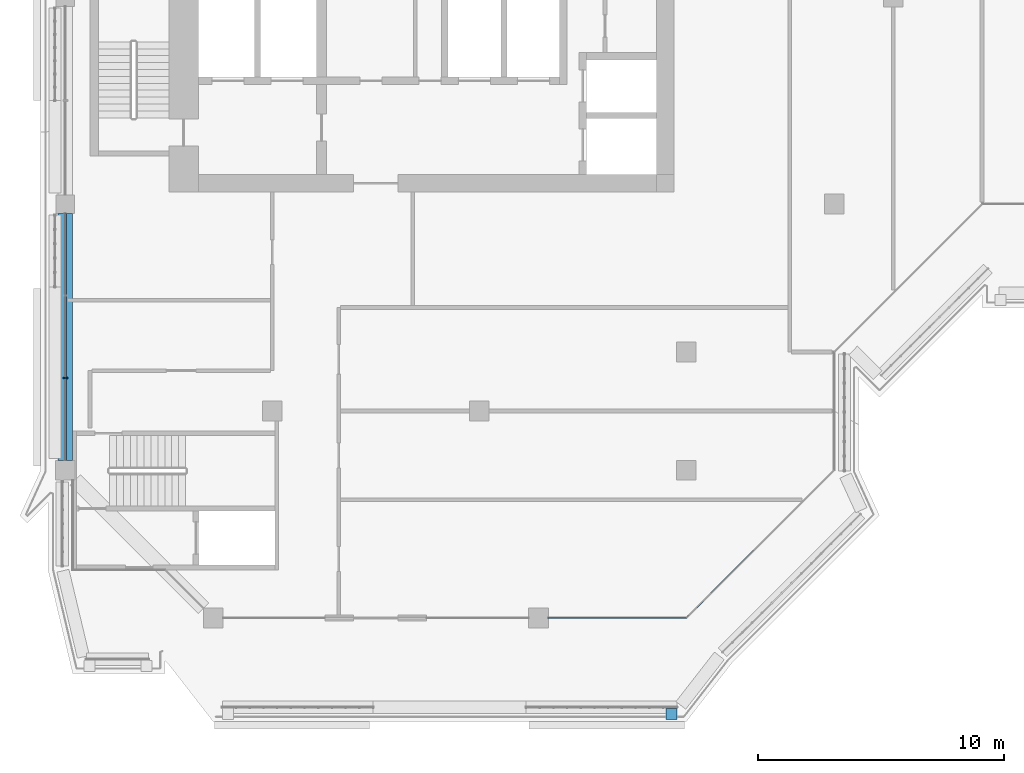
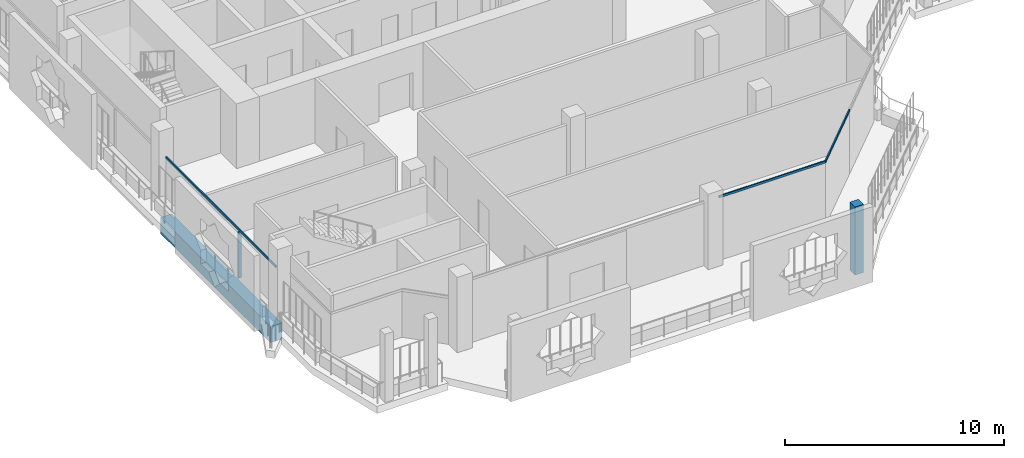
# One storey, part 2 of 21: 5 members, 1 beam, 4 elements without a shape of their own.
"""IFC4 building model written with IfcOpenShell, lengths in metres."""

import ifcopenshell
import ifcopenshell.guid

model = None  # the IFC model being written
_history = None  # IfcOwnerHistory: only IFC2X3 demands one
_inside = {}  # id of a spatial element -> (the spatial element, [elements in it])
_under = {}  # id of a project, library or spatial element -> (it, [spatial elements below it])
_declared = {}  # id of a project -> (the project, [libraries it declares])
_typed = {}  # id of a type object -> (the type object, [elements of that type])
_made_of = {}  # id of a material, layer set ... -> (it, [elements and type objects made of it])


def new_model(schema):
    """Start an empty IFC model of exactly this schema.

    Asked for "IFC4X3", IfcOpenShell would pick the latest addendum, in which some entities
    have other attributes; the version numbers below select the first issue.
    IFC2X3 requires an IfcOwnerHistory on every rooted entity: one is made here for all.
    """
    global model, _history
    if schema == "IFC4X3":
        model = ifcopenshell.file(schema_version=(4, 3, 0, 0))
    else:
        model = ifcopenshell.file(schema=schema)
    _inside.clear()
    _under.clear()
    _declared.clear()
    _typed.clear()
    _made_of.clear()
    _history = None
    if model.schema == "IFC2X3":
        org = make("IfcOrganization", Name="unknown")
        user = make(
            "IfcPersonAndOrganization",
            ThePerson=make("IfcPerson", FamilyName="unknown"),
            TheOrganization=org,
        )
        app = make(
            "IfcApplication",
            ApplicationDeveloper=org,
            Version="unknown",
            ApplicationFullName="unknown",
            ApplicationIdentifier="unknown",
        )
        _history = make(
            "IfcOwnerHistory",
            OwningUser=user,
            OwningApplication=app,
            ChangeAction="ADDED",
            CreationDate=0,
        )
    return model


def make(cls, **values):
    """One entity of the class cls with the attributes given. An attribute that is None is left unset."""
    return model.create_entity(
        cls, **{name: value for name, value in values.items() if value is not None}
    )


def rooted(cls, **values):
    """An entity with a GlobalId (a new one), such as an element, a storey or a relation."""
    return make(cls, GlobalId=ifcopenshell.guid.new(), OwnerHistory=_history, **values)


def si_unit(unit_type, name, prefix=None):
    """IfcSIUnit, for example si_unit("LENGTHUNIT", "METRE", prefix="MILLI")."""
    return make("IfcSIUnit", UnitType=unit_type, Prefix=prefix, Name=name)


def assignment(units):
    """IfcUnitAssignment: the units of a project."""
    return None if units is None else make("IfcUnitAssignment", Units=units)


def point(xyz):
    """IfcCartesianPoint."""
    return None if xyz is None else make("IfcCartesianPoint", Coordinates=xyz)


def direction(xyz):
    """IfcDirection."""
    return None if xyz is None else make("IfcDirection", DirectionRatios=xyz)


def frame(location, z_axis=None, x_axis=None):
    """IfcAxis2Placement3D, a coordinate frame: its origin and axes. An axis left out is left unset."""
    return make(
        "IfcAxis2Placement3D",
        Location=point(location),
        Axis=direction(z_axis),
        RefDirection=direction(x_axis),
    )


def frame_2d(location, x_axis=None):
    """IfcAxis2Placement2D, a coordinate frame in the plane: its origin and x axis."""
    return make(
        "IfcAxis2Placement2D", Location=point(location), RefDirection=direction(x_axis)
    )


def origin():
    """The frame at (0, 0, 0) with its axes left unset."""
    return frame((0.0, 0.0, 0.0))


def origin_2d():
    """The frame at (0, 0) in the plane with its x axis left unset."""
    return frame_2d((0.0, 0.0))


def place(relative_to, where):
    """IfcLocalPlacement: puts the frame where relative to a parent placement (None: the world)."""
    return make(
        "IfcLocalPlacement", PlacementRelTo=relative_to, RelativePlacement=where
    )


def context(
    kind, dimensions, precision=None, world=None, true_north=None, identifier=None
):
    """IfcGeometricRepresentationContext, for example the 3D "Model" context."""
    return make(
        "IfcGeometricRepresentationContext",
        ContextIdentifier=identifier,
        ContextType=kind,
        CoordinateSpaceDimension=dimensions,
        Precision=precision,
        WorldCoordinateSystem=world,
        TrueNorth=true_north,
    )


def subcontext(parent, identifier, kind, view, scale=None):
    """IfcGeometricRepresentationSubContext, for example "Body" below "Model"."""
    return make(
        "IfcGeometricRepresentationSubContext",
        ContextIdentifier=identifier,
        ContextType=kind,
        ParentContext=parent,
        TargetScale=scale,
        TargetView=view,
    )


def project(units=None, contexts=None):
    """IfcProject with its units and contexts."""
    return rooted(
        "IfcProject",
        Name="project",
        RepresentationContexts=contexts,
        UnitsInContext=assignment(units),
    )


def spatial(cls, under=None, at=None, **own):
    """A site, building, storey or space (cls), placed at a placement, below another one or the project."""
    s = rooted(cls, ObjectPlacement=at, **own)
    if under is not None:
        _under.setdefault(under.id(), (under, []))[1].append(s)
    return s


def profile(cls, at=None, kind="AREA", **sizes):
    """A parametric profile (cls). Its sizes go by their IFC names, for example OverallWidth=200.0."""
    return make(cls, ProfileType=kind, Position=at, **sizes)


def rectangle(**sizes):
    """IfcRectangleProfileDef."""
    return profile("IfcRectangleProfileDef", **sizes)


def extrude(swept, where, along, depth):
    """IfcExtrudedAreaSolid: the profile swept, set in the frame where, extruded along a direction by depth."""
    return make(
        "IfcExtrudedAreaSolid",
        SweptArea=swept,
        Position=where,
        ExtrudedDirection=direction(along),
        Depth=depth,
    )


def shape(context_of_items, identifier, shape_type, items):
    """IfcShapeRepresentation: the items that make up one representation, for example the "Body"."""
    return make(
        "IfcShapeRepresentation",
        ContextOfItems=context_of_items,
        RepresentationIdentifier=identifier,
        RepresentationType=shape_type,
        Items=items,
    )


def material(Name=None, Category=None):
    """IfcMaterial."""
    return make("IfcMaterial", Name=Name, Category=Category)


def layer(
    of_material, thickness, ventilated=None, Name=None, Category=None, Priority=None
):
    """IfcMaterialLayer: one layer of a wall or slab, of a material (None: an air gap)."""
    return make(
        "IfcMaterialLayer",
        Material=of_material,
        LayerThickness=thickness,
        IsVentilated=ventilated,
        Name=Name,
        Category=Category,
        Priority=Priority,
    )


def layer_set(layers, Name=None):
    """IfcMaterialLayerSet."""
    return make("IfcMaterialLayerSet", MaterialLayers=layers, LayerSetName=Name)


def material_profile(
    of_material, cross_section, Name=None, Category=None, Priority=None
):
    """IfcMaterialProfile: a cross section and its material."""
    return make(
        "IfcMaterialProfile",
        Name=Name,
        Material=of_material,
        Profile=cross_section,
        Priority=Priority,
        Category=Category,
    )


def profile_set(profiles, Name=None, composite=None):
    """IfcMaterialProfileSet."""
    return make(
        "IfcMaterialProfileSet",
        Name=Name,
        MaterialProfiles=profiles,
        CompositeProfile=composite,
    )


def made_of(thing, what):
    """Note that an element or type object is made of a material, layer set ...; save() writes the relation."""
    if what is not None:
        _made_of.setdefault(what.id(), (what, []))[1].append(thing)
    return thing


def type_object(cls, material=None, **own):
    """A type object (cls), such as IfcWallType, which elements share."""
    return made_of(rooted(cls, **own), material)


def element(
    cls,
    number,
    at=None,
    inside=None,
    cuts=None,
    type_object=None,
    material=None,
    context=None,
    identifier="Body",
    shape_type=None,
    held_by="IfcProductDefinitionShape",
    body=None,
    shapes=None,
    **own,
):
    """One element of the class cls, such as IfcWall. Its Tag is "e" and its number.

    at: its placement. inside: the storey or other place that contains it. cuts: it is an
    opening in that element (IfcRelVoidsElement). A single representation is given by context,
    identifier, shape_type and body (its items); several are given by shapes. held_by: the class
    of the entity that holds the representations. save() writes the other relations.
    """
    e = rooted(cls, Tag="e%d" % number, ObjectPlacement=at, **own)
    if body is not None:
        shapes = [shape(context, identifier, shape_type, body)]
    if shapes is not None:
        e.Representation = make(held_by, Representations=shapes)
    if inside is not None:
        _inside.setdefault(inside.id(), (inside, []))[1].append(e)
    if cuts is not None:
        rooted(
            "IfcRelVoidsElement", RelatingBuildingElement=cuts, RelatedOpeningElement=e
        )
    if type_object is not None:
        _typed.setdefault(type_object.id(), (type_object, []))[1].append(e)
    return made_of(e, material)


def aggregate(whole, parts):
    """IfcRelAggregates: a whole, such as a stair, and the parts it consists of."""
    return rooted("IfcRelAggregates", RelatingObject=whole, RelatedObjects=parts)


def save(model, path):
    """Write the relations noted so far, then the file.

    IfcRelAggregates (storeys below a building ...), IfcRelContainedInSpatialStructure (elements
    in a storey), IfcRelDefinesByType, IfcRelAssociatesMaterial and IfcRelDeclares: one each for
    every whole, place, type object, material and project.
    """
    for whole, parts in _under.values():
        aggregate(whole, parts)
    for where, things in _inside.values():
        rooted(
            "IfcRelContainedInSpatialStructure",
            RelatedElements=things,
            RelatingStructure=where,
        )
    for kind, things in _typed.values():
        rooted("IfcRelDefinesByType", RelatedObjects=things, RelatingType=kind)
    for what, things in _made_of.values():
        rooted("IfcRelAssociatesMaterial", RelatedObjects=things, RelatingMaterial=what)
    for by, libraries in _declared.values():
        rooted("IfcRelDeclares", RelatingContext=by, RelatedDefinitions=libraries)
    model.write(path)


model = new_model("IFC4")

# Units and contexts
model_context = context("Model", 3, precision=1e-05, world=origin(), true_north=direction((0.0, 1.0)))
body_context = subcontext(model_context, "Body", "Model", "MODEL_VIEW")
ifc_project = project(units=[si_unit("LENGTHUNIT", "METRE"), si_unit("AREAUNIT", "SQUARE_METRE"), si_unit("VOLUMEUNIT", "CUBIC_METRE"), si_unit("PLANEANGLEUNIT", "RADIAN"), si_unit("MASSUNIT", "GRAM", prefix="KILO")], contexts=[model_context])

# Site, building, storey
site_placement = place(None, origin())
site = spatial("IfcSite", under=ifc_project, at=site_placement, CompositionType="ELEMENT")
building_placement = place(site_placement, origin())
building = spatial("IfcBuilding", under=site, at=building_placement, Name="Kawkab Arch Medical Tower", CompositionType="ELEMENT")
storey_placement = place(building_placement, frame((0.0, 0.0, 307.0)))
storey = spatial("IfcBuildingStorey", under=building, at=storey_placement, Name="L71", CompositionType="ELEMENT", Elevation=307.0)

# Curtain wall, members
ifc_material_1 = material(Name="Bronze anodised aluminium curtain wall frame", Category="aluminium")
ifc_layer_1 = layer(ifc_material_1, 0.159912109375)
ifc_layer_set_1 = layer_set([ifc_layer_1], Name="Bronze anodised aluminium curtain wall frame")
curtain_wall_type_1 = type_object("IfcCurtainWallType", Name="CW1 ward curtain wall", PredefinedType="NOTDEFINED", material=ifc_layer_set_1)
placement = place(storey_placement, origin())
curtain_wall_1 = element("IfcCurtainWall", 1, at=placement, inside=storey, type_object=curtain_wall_type_1, Name="CW1 Ward curtain wall R02", PredefinedType="NOTDEFINED")
ifc_material_2 = material(Name="Bronze anodised aluminium curtain wall frame", Category="aluminium")
ifc_material_profile_1 = material_profile(ifc_material_2, rectangle(XDim=0.179931640625, YDim=0.06005859375, at=origin_2d()), Name="AL 60x180")
ifc_profile_set_1 = profile_set([ifc_material_profile_1], Name="Bronze anodised aluminium curtain wall frame")
member_type_1 = type_object("IfcMemberType", Name="CW1 mullion 60 x 180", PredefinedType="MULLION", material=ifc_profile_set_1)
member_1_placement = place(storey_placement, frame((0.0, -32.25830078125, 0.0), z_axis=(0.0, 0.0, 1.0), x_axis=(1.0, 0.0, 0.0)))
member_1 = element("IfcMember", 2, at=member_1_placement, type_object=member_type_1, Name="CW1 mullion 3.2", PredefinedType="MULLION", context=body_context, shape_type="SweptSolid", body=[
    extrude(rectangle(XDim=0.179931640625, YDim=0.06005859375, at=origin_2d()), origin(), (0.0, 0.0, 1.0), 2.580078125),
])
ifc_material_3 = material(Name="Bronze anodised aluminium curtain wall frame", Category="aluminium")
ifc_material_profile_2 = material_profile(ifc_material_3, rectangle(XDim=0.06005859375, YDim=0.1201171875, at=origin_2d()), Name="AL 60x120")
ifc_profile_set_2 = profile_set([ifc_material_profile_2], Name="Bronze anodised aluminium curtain wall frame")
member_type_2 = type_object("IfcMemberType", Name="CW1 transom 120 x 60", PredefinedType="USERDEFINED", material=ifc_profile_set_2)
member_2_placement = place(storey_placement, frame((0.0, -25.574951171875, 2.639892578125), z_axis=(0.0, -1.0, 0.0), x_axis=(1.0, 0.0, 0.0)))
member_2 = element("IfcMember", 3, at=member_2_placement, type_object=member_type_2, Name="CW1 transom 3", ObjectType="TRANSOM", PredefinedType="USERDEFINED", context=body_context, shape_type="SweptSolid", body=[
    extrude(rectangle(XDim=0.06005859375, YDim=0.1201171875, at=origin_2d()), origin(), (0.0, 0.0, 1.0), 10.025146484375),
])
aggregate(curtain_wall_1, [member_2, member_1])

# Curtain wall, member
curtain_wall_2 = element("IfcCurtainWall", 4, at=placement, inside=storey, type_object=curtain_wall_type_1, Name="CW1 Ward curtain wall R07", PredefinedType="NOTDEFINED")
member_3_placement = place(storey_placement, frame((19.60009765625, -42.0, 3.5400390625), z_axis=(1.0, 0.0, 0.0), x_axis=(0.0, 1.0, 0.0)))
member_3 = element("IfcMember", 5, at=member_3_placement, type_object=member_type_2, Name="CW1 transom 2", ObjectType="TRANSOM", PredefinedType="USERDEFINED", context=body_context, shape_type="SweptSolid", body=[
    extrude(rectangle(XDim=0.06005859375, YDim=0.1201171875, at=origin_2d()), origin(), (0.0, 0.0, 1.0), 5.599853515625),
])
aggregate(curtain_wall_2, [member_3])

ifc_material_4 = material(Name="Bronze anodised aluminium curtain wall frame", Category="aluminium")
ifc_layer_2 = layer(ifc_material_4, 0.159912109375)
ifc_layer_set_2 = layer_set([ifc_layer_2], Name="Bronze anodised aluminium curtain wall frame")
curtain_wall_type_2 = type_object("IfcCurtainWallType", Name="CW2 chamfer curtain wall", PredefinedType="NOTDEFINED", material=ifc_layer_set_2)
curtain_wall_3 = element("IfcCurtainWall", 6, at=placement, inside=storey, type_object=curtain_wall_type_2, Name="CW2 Chamfer curtain wall R08", PredefinedType="NOTDEFINED")
ifc_material_5 = material(Name="Bronze anodised aluminium curtain wall frame", Category="aluminium")
ifc_material_profile_3 = material_profile(ifc_material_5, rectangle(XDim=0.06005859375, YDim=0.139892578125, at=origin_2d()), Name="AL 60x140")
ifc_profile_set_3 = profile_set([ifc_material_profile_3], Name="Bronze anodised aluminium curtain wall frame")
member_type_3 = type_object("IfcMemberType", Name="CW2 transom 140 x 60", PredefinedType="USERDEFINED", material=ifc_profile_set_3)
member_4_placement = place(storey_placement, frame((25.199951171875, -42.0, 3.530029296875), z_axis=(0.707106781187, 0.707106781187, 0.0), x_axis=(-0.707106781187, 0.707106781187, 0.0)))
member_4 = element("IfcMember", 7, at=member_4_placement, type_object=member_type_3, Name="CW2 transom 1", ObjectType="TRANSOM", PredefinedType="USERDEFINED", context=body_context, shape_type="SweptSolid", body=[
    extrude(rectangle(XDim=0.06005859375, YDim=0.139892578125, at=origin_2d()), origin(), (0.0, 0.0, 1.0), 4.24267578125),
])
aggregate(curtain_wall_3, [member_4])

ifc_material_6 = material(Name="Bronze anodised aluminium climber frame, planted", Category="aluminium")
ifc_layer_3 = layer(ifc_material_6, 0.449951171875)
ifc_layer_set_3 = layer_set([ifc_layer_3], Name="Bronze anodised aluminium climber frame, planted")
curtain_wall_type_3 = type_object("IfcCurtainWallType", Name="Planted climber frame", PredefinedType="NOTDEFINED", material=ifc_layer_set_3)
curtain_wall_4 = element("IfcCurtainWall", 8, at=placement, inside=storey, type_object=curtain_wall_type_3, Name="Planted climber frame L71", PredefinedType="NOTDEFINED")
ifc_material_7 = material(Name="Bronze anodised aluminium climber frame, planted", Category="aluminium")
ifc_material_profile_4 = material_profile(ifc_material_7, rectangle(XDim=0.449951171875, YDim=0.449951171875, at=origin_2d()), Name="Post 450x450")
ifc_profile_set_4 = profile_set([ifc_material_profile_4], Name="Bronze anodised aluminium climber frame, planted")
member_type_4 = type_object("IfcMemberType", Name="Planted climber post 450 x 450", PredefinedType="MULLION", material=ifc_profile_set_4)
member_5_placement = place(storey_placement, frame((24.60302734375, -45.89990234375, 0.0), z_axis=(0.0, 0.0, 1.0), x_axis=(1.0, 0.0, 0.0)))
member_5 = element("IfcMember", 9, at=member_5_placement, type_object=member_type_4, Name="Planted climber post L71.LOG-01-01.7", PredefinedType="MULLION", context=body_context, shape_type="SweptSolid", body=[
    extrude(rectangle(XDim=0.449951171875, YDim=0.449951171875, at=origin_2d()), origin(), (0.0, 0.0, 1.0), 3.800048828125),
])
aggregate(curtain_wall_4, [member_5])

# Beam
ifc_material_8 = material(Name="Concrete C40/50", Category="concrete")
ifc_material_profile_5 = material_profile(ifc_material_8, rectangle(XDim=0.60009765625, YDim=0.89990234375, at=origin_2d()), Name="RC 600x900")
ifc_profile_set_5 = profile_set([ifc_material_profile_5], Name="Concrete C40/50")
beam_type = type_object("IfcBeamType", Name="RC 600x900 beam C40/50", PredefinedType="BEAM", material=ifc_profile_set_5)
beam_placement = place(storey_placement, frame((0.0, -35.60009765625, -1.050048828125), z_axis=(0.0, 1.0, 0.0), x_axis=(-1.0, 0.0, 0.0)))
element("IfcBeam", 10, at=beam_placement, inside=storey, type_object=beam_type, Name="Overhang edge beam L71-03", PredefinedType="BEAM", context=body_context, shape_type="SweptSolid", body=[
    extrude(rectangle(XDim=0.60009765625, YDim=0.89990234375, at=origin_2d()), origin(), (0.0, 0.0, 1.0), 10.025146484375),
])

save(model, "model.ifc")
